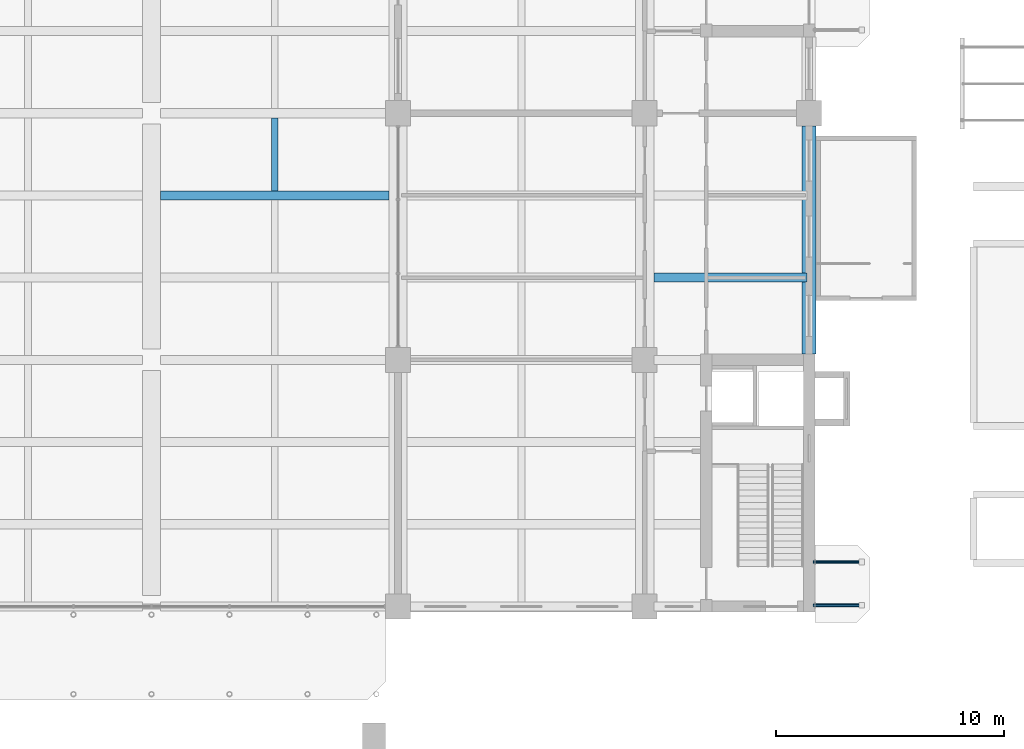
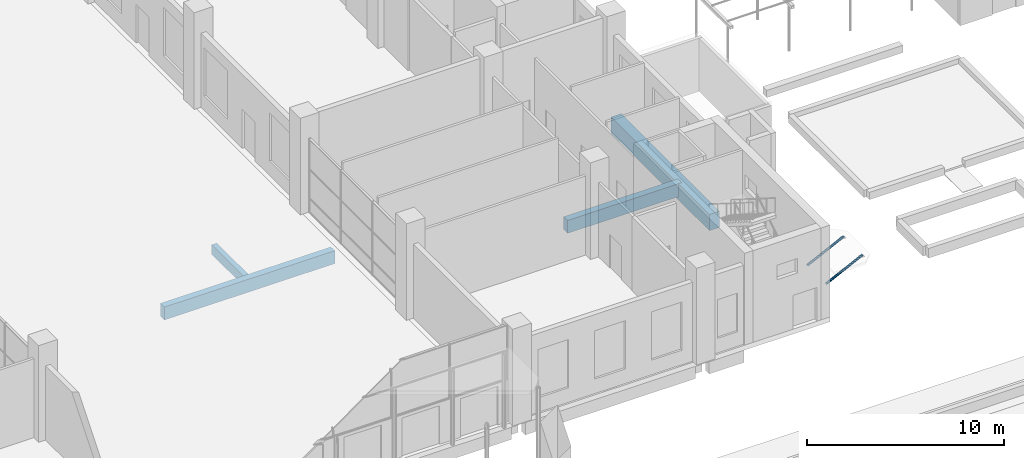
# One storey, part 28 of 71: 4 beams, 2 members.
"""IFC4 building model written with IfcOpenShell, lengths in metres."""

from ifc_helpers import new_model, si_unit, direction, frame, origin, origin_2d, place, context, subcontext, project, spatial, rectangle, hollow_circle, extrude, material, material_profile, profile_set, type_object, element, save


model = new_model("IFC4")

# Units and contexts
model_context = context("Model", 3, precision=1e-05, world=origin(), true_north=direction((0.0, 1.0)))
body_context = subcontext(model_context, "Body", "Model", "MODEL_VIEW")
ifc_project = project(units=[si_unit("LENGTHUNIT", "METRE"), si_unit("AREAUNIT", "SQUARE_METRE"), si_unit("VOLUMEUNIT", "CUBIC_METRE"), si_unit("PLANEANGLEUNIT", "RADIAN"), si_unit("MASSUNIT", "GRAM", prefix="KILO")], contexts=[model_context])

# Site, building, storey
site_placement = place(None, origin())
site = spatial("IfcSite", under=ifc_project, at=site_placement, CompositionType="ELEMENT")
building_placement = place(site_placement, origin())
building = spatial("IfcBuilding", under=site, at=building_placement, Name="Basin Gate Institute", CompositionType="ELEMENT")
storey_placement = place(building_placement, origin())
storey = spatial("IfcBuildingStorey", under=building, at=storey_placement, Name="L00", CompositionType="ELEMENT", Elevation=0.0)

# Beams
ifc_material_1 = material(Name="Concrete 40 MPa", Category="concrete")
ifc_material_profile_1 = material_profile(ifc_material_1, rectangle(XDim=0.39990234375, YDim=0.800048828125, at=origin_2d()), Name="Beam B2 400 x 800")
ifc_profile_set_1 = profile_set([ifc_material_profile_1], Name="Concrete 40 MPa")
beam_type_1 = type_object("IfcBeamType", Name="Beam B2 R180", PredefinedType="BEAM", material=ifc_profile_set_1)
beam_1_placement = place(storey_placement, frame((118.699951171875, 49.5, -0.699951171875), z_axis=(-1.0, 0.0, 0.0), x_axis=(0.0, -1.0, 0.0)))
element("IfcBeam", 1, at=beam_1_placement, inside=storey, type_object=beam_type_1, material=ifc_profile_set_1, Name="BEAM/L00/E/OUT/05", PredefinedType="BEAM", context=body_context, shape_type="SweptSolid", body=[
    extrude(rectangle(XDim=0.39990234375, YDim=0.800048828125, at=origin_2d()), origin(), (0.0, 0.0, 1.0), 6.699951171875),
])
beam_2_placement = place(storey_placement, frame((90.39990234375, 53.10009765625, -0.699951171875), z_axis=(1.0, 0.0, 0.0), x_axis=(0.0, 1.0, 0.0)))
element("IfcBeam", 2, at=beam_2_placement, inside=storey, type_object=beam_type_1, material=ifc_profile_set_1, Name="BEAM/L00/CAN/E/06", PredefinedType="BEAM", context=body_context, shape_type="SweptSolid", body=[
    extrude(rectangle(XDim=0.39990234375, YDim=0.800048828125, at=origin_2d()), origin(), (0.0, 0.0, 1.0), 10.0),
])

# Members
ifc_material_2 = material(Name="Structural steel SN490", Category="steel")
ifc_material_profile_2 = material_profile(ifc_material_2, hollow_circle(Radius=0.06982421875, WallThickness=0.006103515625, at=origin_2d()), Name="CHS139x6")
ifc_profile_set_2 = profile_set([ifc_material_profile_2], Name="Structural steel SN490")
member_type = type_object("IfcMemberType", Name="Canopy strut TD4", PredefinedType="BRACE", material=ifc_profile_set_2)
for number, where, z_axis, x_axis, name in (
    (3, (119.0, 35.14990234375, 1.89990234375), (0.898551608074, 0.0, 0.438867870353), (0.0, 1.0, 0.0), "Canopy strut ES 1"),
    (4, (119.0, 37.050048828125, 1.89990234375), (0.898551608074, 0.0, 0.438867870353), (0.0, 1.0, 0.0), "Canopy strut ES 2"),
):
    element("IfcMember", number, at=place(storey_placement, frame(where, z_axis=z_axis, x_axis=x_axis)), inside=storey, type_object=member_type, material=ifc_profile_set_2, Name=name, PredefinedType="BRACE", context=body_context, shape_type="SweptSolid", body=[
        extrude(hollow_circle(Radius=0.06982421875, WallThickness=0.006103515625, at=origin_2d()), origin(), (0.0, 0.0, 1.0), 2.392578125),
    ])

# Beams
ifc_material_3 = material(Name="Concrete 50 MPa", Category="concrete")
ifc_material_profile_3 = material_profile(ifc_material_3, rectangle(XDim=0.60009765625, YDim=1.0, at=origin_2d()), Name="Edge beam EB2 600 x 1000")
ifc_profile_set_3 = profile_set([ifc_material_profile_3], Name="Concrete 50 MPa")
beam_type_2 = type_object("IfcBeamType", Name="Edge beam EB2 R180", PredefinedType="SPANDREL", material=ifc_profile_set_3)
beam_3_placement = place(storey_placement, frame((118.800048828125, 46.14990234375, -0.800048828125), z_axis=(0.0, 1.0, 0.0), x_axis=(-1.0, 0.0, 0.0)))
element("IfcBeam", 5, at=beam_3_placement, inside=storey, type_object=beam_type_2, material=ifc_profile_set_3, Name="BEAM/L00/E/EDGE/1", PredefinedType="SPANDREL", context=body_context, shape_type="SweptSolid", body=[
    extrude(rectangle(XDim=0.60009765625, YDim=1.0, at=origin_2d()), origin(), (0.0, 0.0, 1.0), 10.0),
])
ifc_material_4 = material(Name="Concrete 40 MPa", Category="concrete")
ifc_material_profile_4 = material_profile(ifc_material_4, rectangle(XDim=0.300048828125, YDim=0.60009765625, at=origin_2d()), Name="Rib R2 300 x 600")
ifc_profile_set_4 = profile_set([ifc_material_profile_4], Name="Concrete 40 MPa")
beam_type_3 = type_object("IfcBeamType", Name="Rib R2 R180", PredefinedType="JOIST", material=ifc_profile_set_4)
beam_4_placement = place(storey_placement, frame((95.39990234375, 53.300048828125, -0.60009765625), z_axis=(0.0, 1.0, 0.0), x_axis=(-1.0, 0.0, 0.0)))
element("IfcBeam", 6, at=beam_4_placement, inside=storey, type_object=beam_type_3, material=ifc_profile_set_4, Name="BEAM/L00/CAN/RIBE/06", PredefinedType="JOIST", context=body_context, shape_type="SweptSolid", body=[
    extrude(rectangle(XDim=0.300048828125, YDim=0.60009765625, at=origin_2d()), origin(), (0.0, 0.0, 1.0), 3.199951171875),
])

save(model, "model.ifc")
